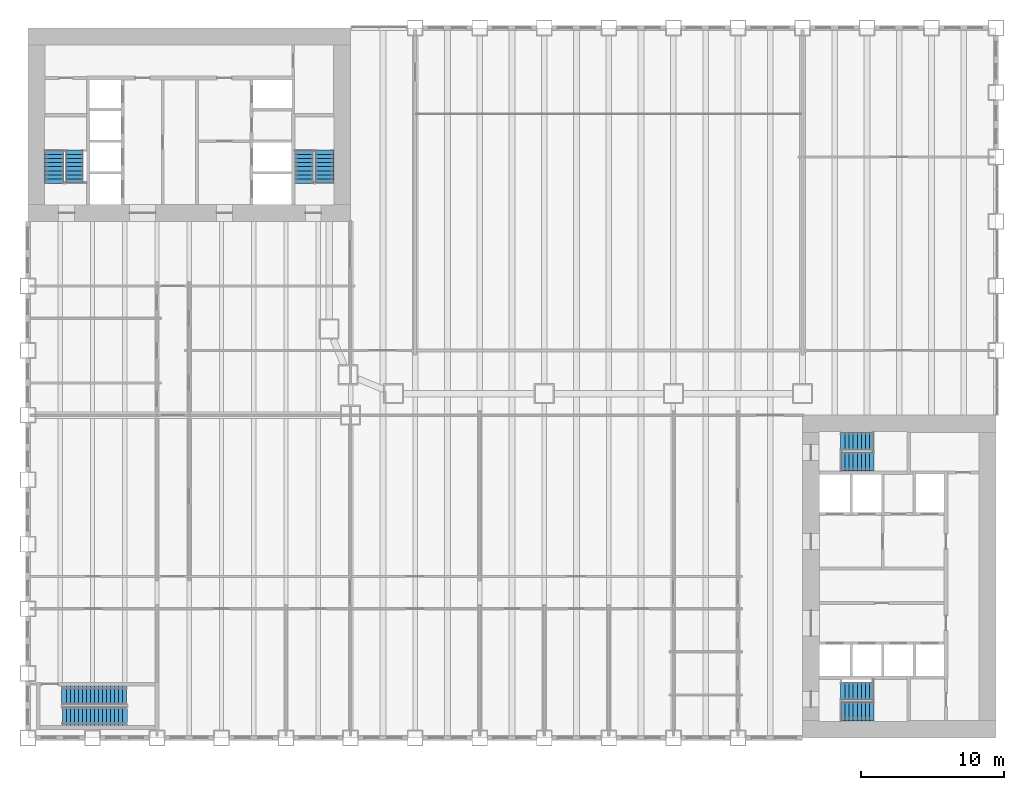
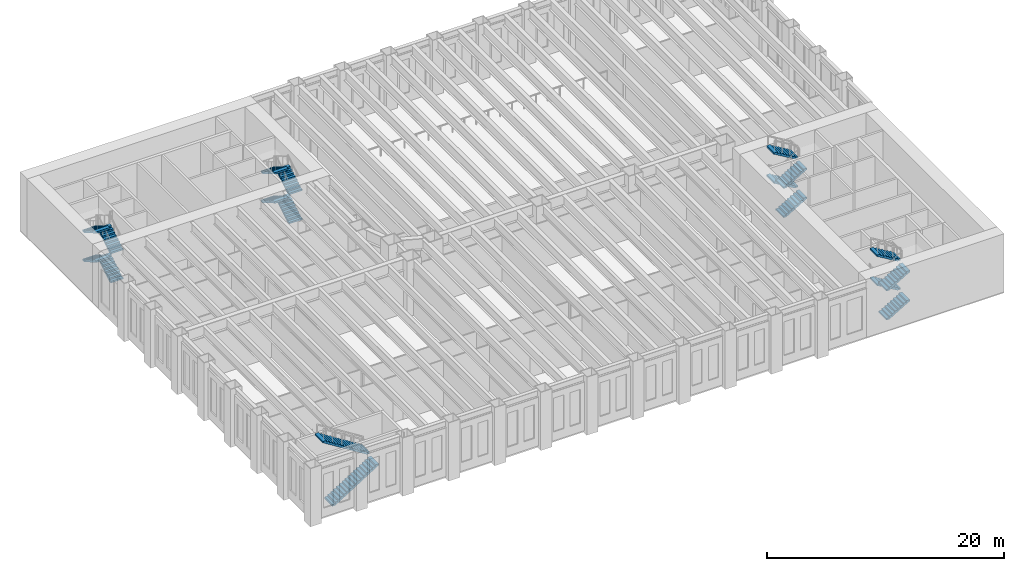
# One storey, part 15 of 19: 18 stair flights, 5 elements without a shape of their own.
"""IFC4 building model written with IfcOpenShell, lengths in metres."""

from ifc_helpers import new_model, si_unit, direction, frame, origin, place, context, subcontext, project, spatial, polyline, outline, extrude, material, type_object, element, aggregate, save


model = new_model("IFC4")

# Units and contexts
model_context = context("Model", 3, precision=1e-05, world=origin(), true_north=direction((0.0, 1.0)))
body_context = subcontext(model_context, "Body", "Model", "MODEL_VIEW")
ifc_project = project(units=[si_unit("LENGTHUNIT", "METRE"), si_unit("AREAUNIT", "SQUARE_METRE"), si_unit("VOLUMEUNIT", "CUBIC_METRE"), si_unit("PLANEANGLEUNIT", "RADIAN"), si_unit("MASSUNIT", "GRAM", prefix="KILO")], contexts=[model_context])

# Site, building, storey
site_placement = place(None, origin())
site = spatial("IfcSite", under=ifc_project, at=site_placement, CompositionType="ELEMENT")
building_placement = place(site_placement, origin())
building = spatial("IfcBuilding", under=site, at=building_placement, Name="Sennacour Bend Tower", CompositionType="ELEMENT")
storey_placement = place(building_placement, frame((0.0, 0.0, 8.0)))
storey = spatial("IfcBuildingStorey", under=building, at=storey_placement, Name="L01", CompositionType="ELEMENT", Elevation=8.0)

# Stair, stair flights
ifc_material = material(Name="Concrete C40/50", Category="concrete")
stair_type = type_object("IfcStairType", Name="ST-DOGLEG", PredefinedType="HALF_TURN_STAIR", material=ifc_material)
stair_1_placement = place(storey_placement, origin())
stair_1 = element("IfcStair", 1, at=stair_1_placement, inside=storey, type_object=stair_type, Name="L01 Exit stair A1", PredefinedType="HALF_TURN_STAIR")
stair_flight_type = type_object("IfcStairFlightType", Name="SFL-RC", PredefinedType="STRAIGHT", material=ifc_material)
stair_flight_1_placement = place(storey_placement, frame((56.699951171875, 1.8349609375, 0.0), z_axis=(0.0, 0.0, 1.0), x_axis=(1.0, 0.0, 0.0)))
stair_flight_1 = element("IfcStairFlight", 2, at=stair_flight_1_placement, type_object=stair_flight_type, Name="SA1 flight 1", NumberOfRisers=9, NumberOfTreads=8, PredefinedType="STRAIGHT", RiserHeight=0.166666667, TreadLength=0.28, context=body_context, shape_type="SweptSolid", body=[
    extrude(outline(polyline([(0.0, 0.0), (0.0, 0.166748046875), (0.280029296875, 0.166748046875), (0.280029296875, 0.333251953125), (0.56005859375, 0.333251953125), (0.56005859375, 0.5), (0.840087890625, 0.5), (0.840087890625, 0.666748046875), (1.1201171875, 0.666748046875), (1.1201171875, 0.833251953125), (1.39990234375, 0.833251953125), (1.39990234375, 1.0), (1.679931640625, 1.0), (1.679931640625, 1.166748046875), (1.9599609375, 1.166748046875), (1.9599609375, 1.333251953125), (2.239990234375, 1.333251953125), (2.300048828125, 1.333251953125), (2.300048828125, 1.158935546875), (2.239990234375, 1.158935546875), (0.29296875, 0.0), (0.0, 0.0)])), frame((0.0, 0.6650390625, 0.0), z_axis=(0.0, -1.0, 0.0), x_axis=(1.0, 0.0, 0.0)), (0.0, 0.0, 1.0), 1.330078125),
])
stair_flight_2_placement = place(storey_placement, frame((58.93994140625, 3.25, 1.5), z_axis=(0.0, 0.0, 1.0), x_axis=(-1.0, 0.0, 0.0)))
stair_flight_2 = element("IfcStairFlight", 3, at=stair_flight_2_placement, type_object=stair_flight_type, Name="SA1 flight 2", NumberOfRisers=9, NumberOfTreads=8, PredefinedType="STRAIGHT", RiserHeight=0.166666667, TreadLength=0.28, context=body_context, shape_type="SweptSolid", body=[
    extrude(outline(polyline([(0.0, 0.0), (0.0, 0.166748046875), (0.280029296875, 0.166748046875), (0.280029296875, 0.333251953125), (0.56005859375, 0.333251953125), (0.56005859375, 0.5), (0.840087890625, 0.5), (0.840087890625, 0.666748046875), (1.1201171875, 0.666748046875), (1.1201171875, 0.833251953125), (1.39990234375, 0.833251953125), (1.39990234375, 1.0), (1.679931640625, 1.0), (1.679931640625, 1.166748046875), (1.9599609375, 1.166748046875), (1.9599609375, 1.333251953125), (2.239990234375, 1.333251953125), (2.300048828125, 1.333251953125), (2.300048828125, 1.158935546875), (2.239990234375, 1.158935546875), (0.29296875, 0.0), (0.0, 0.0)])), frame((0.0, 0.60009765625, 0.0), z_axis=(0.0, -1.0, 0.0), x_axis=(1.0, 0.0, 0.0)), (0.0, 0.0, 1.0), 1.199951171875),
])
stair_flight_3_placement = place(storey_placement, frame((56.699951171875, 1.8349609375, 3.0), z_axis=(0.0, 0.0, 1.0), x_axis=(1.0, 0.0, 0.0)))
stair_flight_3 = element("IfcStairFlight", 4, at=stair_flight_3_placement, type_object=stair_flight_type, Name="SA1 flight 3", NumberOfRisers=9, NumberOfTreads=8, PredefinedType="STRAIGHT", RiserHeight=0.166666667, TreadLength=0.28, context=body_context, shape_type="SweptSolid", body=[
    extrude(outline(polyline([(0.0, 0.0), (0.0, 0.166748046875), (0.280029296875, 0.166748046875), (0.280029296875, 0.333251953125), (0.56005859375, 0.333251953125), (0.56005859375, 0.5), (0.840087890625, 0.5), (0.840087890625, 0.666748046875), (1.1201171875, 0.666748046875), (1.1201171875, 0.833251953125), (1.39990234375, 0.833251953125), (1.39990234375, 1.0), (1.679931640625, 1.0), (1.679931640625, 1.166748046875), (1.9599609375, 1.166748046875), (1.9599609375, 1.333251953125), (2.239990234375, 1.333251953125), (2.300048828125, 1.333251953125), (2.300048828125, 1.158935546875), (2.239990234375, 1.158935546875), (0.29296875, 0.0), (0.0, 0.0)])), frame((0.0, 0.6650390625, 0.0), z_axis=(0.0, -1.0, 0.0), x_axis=(1.0, 0.0, 0.0)), (0.0, 0.0, 1.0), 1.330078125),
])
stair_flight_4_placement = place(storey_placement, frame((58.93994140625, 3.25, 4.5), z_axis=(0.0, 0.0, 1.0), x_axis=(-1.0, 0.0, 0.0)))
stair_flight_4 = element("IfcStairFlight", 5, at=stair_flight_4_placement, type_object=stair_flight_type, Name="SA1 flight 4", NumberOfRisers=9, NumberOfTreads=8, PredefinedType="STRAIGHT", RiserHeight=0.166666667, TreadLength=0.28, context=body_context, shape_type="SweptSolid", body=[
    extrude(outline(polyline([(0.0, 0.0), (0.0, 0.166748046875), (0.280029296875, 0.166748046875), (0.280029296875, 0.333251953125), (0.56005859375, 0.333251953125), (0.56005859375, 0.5), (0.840087890625, 0.5), (0.840087890625, 0.666748046875), (1.1201171875, 0.666748046875), (1.1201171875, 0.833251953125), (1.39990234375, 0.833251953125), (1.39990234375, 1.0), (1.679931640625, 1.0), (1.679931640625, 1.166748046875), (1.9599609375, 1.166748046875), (1.9599609375, 1.333251953125), (2.239990234375, 1.333251953125), (2.300048828125, 1.333251953125), (2.300048828125, 1.158935546875), (2.239990234375, 1.158935546875), (0.29296875, 0.0), (0.0, 0.0)])), frame((0.0, 0.60009765625, 0.0), z_axis=(0.0, -1.0, 0.0), x_axis=(1.0, 0.0, 0.0)), (0.0, 0.0, 1.0), 1.199951171875),
])
aggregate(stair_1, [stair_flight_1, stair_flight_2, stair_flight_3, stair_flight_4])

stair_2_placement = place(storey_placement, origin())
stair_2 = element("IfcStair", 6, at=stair_2_placement, inside=storey, type_object=stair_type, Name="L01 Exit stair A2", PredefinedType="HALF_TURN_STAIR")
stair_flight_5_placement = place(storey_placement, frame((56.699951171875, 19.24755859375, 0.0), z_axis=(0.0, 0.0, 1.0), x_axis=(1.0, 0.0, 0.0)))
stair_flight_5 = element("IfcStairFlight", 7, at=stair_flight_5_placement, type_object=stair_flight_type, Name="SA2 flight 1", NumberOfRisers=9, NumberOfTreads=8, PredefinedType="STRAIGHT", RiserHeight=0.166666667, TreadLength=0.28, context=body_context, shape_type="SweptSolid", body=[
    extrude(outline(polyline([(0.0, 0.0), (0.0, 0.166748046875), (0.280029296875, 0.166748046875), (0.280029296875, 0.333251953125), (0.56005859375, 0.333251953125), (0.56005859375, 0.5), (0.840087890625, 0.5), (0.840087890625, 0.666748046875), (1.1201171875, 0.666748046875), (1.1201171875, 0.833251953125), (1.39990234375, 0.833251953125), (1.39990234375, 1.0), (1.679931640625, 1.0), (1.679931640625, 1.166748046875), (1.9599609375, 1.166748046875), (1.9599609375, 1.333251953125), (2.239990234375, 1.333251953125), (2.300048828125, 1.333251953125), (2.300048828125, 1.158935546875), (2.239990234375, 1.158935546875), (0.29296875, 0.0), (0.0, 0.0)])), frame((0.0, 0.65234375, 0.0), z_axis=(0.0, -1.0, 0.0), x_axis=(1.0, 0.0, 0.0)), (0.0, 0.0, 1.0), 1.304931640625),
])
stair_flight_6_placement = place(storey_placement, frame((58.93994140625, 20.68994140625, 1.5), z_axis=(0.0, 0.0, 1.0), x_axis=(-1.0, 0.0, 0.0)))
stair_flight_6 = element("IfcStairFlight", 8, at=stair_flight_6_placement, type_object=stair_flight_type, Name="SA2 flight 2", NumberOfRisers=9, NumberOfTreads=8, PredefinedType="STRAIGHT", RiserHeight=0.166666667, TreadLength=0.28, context=body_context, shape_type="SweptSolid", body=[
    extrude(outline(polyline([(0.0, 0.0), (0.0, 0.166748046875), (0.280029296875, 0.166748046875), (0.280029296875, 0.333251953125), (0.56005859375, 0.333251953125), (0.56005859375, 0.5), (0.840087890625, 0.5), (0.840087890625, 0.666748046875), (1.1201171875, 0.666748046875), (1.1201171875, 0.833251953125), (1.39990234375, 0.833251953125), (1.39990234375, 1.0), (1.679931640625, 1.0), (1.679931640625, 1.166748046875), (1.9599609375, 1.166748046875), (1.9599609375, 1.333251953125), (2.239990234375, 1.333251953125), (2.300048828125, 1.333251953125), (2.300048828125, 1.158935546875), (2.239990234375, 1.158935546875), (0.29296875, 0.0), (0.0, 0.0)])), frame((0.0, 0.64013671875, 0.0), z_axis=(0.0, -1.0, 0.0), x_axis=(1.0, 0.0, 0.0)), (0.0, 0.0, 1.0), 1.280029296875),
])
stair_flight_7_placement = place(storey_placement, frame((56.699951171875, 19.24755859375, 3.0), z_axis=(0.0, 0.0, 1.0), x_axis=(1.0, 0.0, 0.0)))
stair_flight_7 = element("IfcStairFlight", 9, at=stair_flight_7_placement, type_object=stair_flight_type, Name="SA2 flight 3", NumberOfRisers=9, NumberOfTreads=8, PredefinedType="STRAIGHT", RiserHeight=0.166666667, TreadLength=0.28, context=body_context, shape_type="SweptSolid", body=[
    extrude(outline(polyline([(0.0, 0.0), (0.0, 0.166748046875), (0.280029296875, 0.166748046875), (0.280029296875, 0.333251953125), (0.56005859375, 0.333251953125), (0.56005859375, 0.5), (0.840087890625, 0.5), (0.840087890625, 0.666748046875), (1.1201171875, 0.666748046875), (1.1201171875, 0.833251953125), (1.39990234375, 0.833251953125), (1.39990234375, 1.0), (1.679931640625, 1.0), (1.679931640625, 1.166748046875), (1.9599609375, 1.166748046875), (1.9599609375, 1.333251953125), (2.239990234375, 1.333251953125), (2.300048828125, 1.333251953125), (2.300048828125, 1.158935546875), (2.239990234375, 1.158935546875), (0.29296875, 0.0), (0.0, 0.0)])), frame((0.0, 0.65234375, 0.0), z_axis=(0.0, -1.0, 0.0), x_axis=(1.0, 0.0, 0.0)), (0.0, 0.0, 1.0), 1.304931640625),
])
stair_flight_8_placement = place(storey_placement, frame((58.93994140625, 20.68994140625, 4.5), z_axis=(0.0, 0.0, 1.0), x_axis=(-1.0, 0.0, 0.0)))
stair_flight_8 = element("IfcStairFlight", 10, at=stair_flight_8_placement, type_object=stair_flight_type, Name="SA2 flight 4", NumberOfRisers=9, NumberOfTreads=8, PredefinedType="STRAIGHT", RiserHeight=0.166666667, TreadLength=0.28, context=body_context, shape_type="SweptSolid", body=[
    extrude(outline(polyline([(0.0, 0.0), (0.0, 0.166748046875), (0.280029296875, 0.166748046875), (0.280029296875, 0.333251953125), (0.56005859375, 0.333251953125), (0.56005859375, 0.5), (0.840087890625, 0.5), (0.840087890625, 0.666748046875), (1.1201171875, 0.666748046875), (1.1201171875, 0.833251953125), (1.39990234375, 0.833251953125), (1.39990234375, 1.0), (1.679931640625, 1.0), (1.679931640625, 1.166748046875), (1.9599609375, 1.166748046875), (1.9599609375, 1.333251953125), (2.239990234375, 1.333251953125), (2.300048828125, 1.333251953125), (2.300048828125, 1.158935546875), (2.239990234375, 1.158935546875), (0.29296875, 0.0), (0.0, 0.0)])), frame((0.0, 0.64013671875, 0.0), z_axis=(0.0, -1.0, 0.0), x_axis=(1.0, 0.0, 0.0)), (0.0, 0.0, 1.0), 1.280029296875),
])
aggregate(stair_2, [stair_flight_5, stair_flight_6, stair_flight_7, stair_flight_8])

stair_3_placement = place(storey_placement, origin())
stair_3 = element("IfcStair", 11, at=stair_3_placement, inside=storey, type_object=stair_type, Name="L01 Exit stair B1", PredefinedType="HALF_TURN_STAIR")
stair_flight_9_placement = place(storey_placement, frame((3.25, 38.699951171875, 0.0), z_axis=(0.0, 0.0, 1.0), x_axis=(0.0, 1.0, 0.0)))
stair_flight_9 = element("IfcStairFlight", 12, at=stair_flight_9_placement, type_object=stair_flight_type, Name="SB1 flight 1", NumberOfRisers=9, NumberOfTreads=8, PredefinedType="STRAIGHT", RiserHeight=0.166666667, TreadLength=0.28, context=body_context, shape_type="SweptSolid", body=[
    extrude(outline(polyline([(0.0, 0.0), (0.0, 0.166748046875), (0.280029296875, 0.166748046875), (0.280029296875, 0.333251953125), (0.56005859375, 0.333251953125), (0.56005859375, 0.5), (0.840087890625, 0.5), (0.840087890625, 0.666748046875), (1.1201171875, 0.666748046875), (1.1201171875, 0.833251953125), (1.39990234375, 0.833251953125), (1.39990234375, 1.0), (1.679931640625, 1.0), (1.679931640625, 1.166748046875), (1.9599609375, 1.166748046875), (1.9599609375, 1.333251953125), (2.239990234375, 1.333251953125), (2.300048828125, 1.333251953125), (2.300048828125, 1.158935546875), (2.239990234375, 1.158935546875), (0.29296875, 0.0), (0.0, 0.0)])), frame((0.0, 0.60009765625, 0.0), z_axis=(0.0, -1.0, 0.0), x_axis=(1.0, 0.0, 0.0)), (0.0, 0.0, 1.0), 1.199951171875),
])
stair_flight_10_placement = place(storey_placement, frame((1.8349609375, 40.93994140625, 1.5), z_axis=(0.0, 0.0, 1.0), x_axis=(0.0, -1.0, 0.0)))
stair_flight_10 = element("IfcStairFlight", 13, at=stair_flight_10_placement, type_object=stair_flight_type, Name="SB1 flight 2", NumberOfRisers=9, NumberOfTreads=8, PredefinedType="STRAIGHT", RiserHeight=0.166666667, TreadLength=0.28, context=body_context, shape_type="SweptSolid", body=[
    extrude(outline(polyline([(0.0, 0.0), (0.0, 0.166748046875), (0.280029296875, 0.166748046875), (0.280029296875, 0.333251953125), (0.56005859375, 0.333251953125), (0.56005859375, 0.5), (0.840087890625, 0.5), (0.840087890625, 0.666748046875), (1.1201171875, 0.666748046875), (1.1201171875, 0.833251953125), (1.39990234375, 0.833251953125), (1.39990234375, 1.0), (1.679931640625, 1.0), (1.679931640625, 1.166748046875), (1.9599609375, 1.166748046875), (1.9599609375, 1.333251953125), (2.239990234375, 1.333251953125), (2.300048828125, 1.333251953125), (2.300048828125, 1.158935546875), (2.239990234375, 1.158935546875), (0.29296875, 0.0), (0.0, 0.0)])), frame((0.0, 0.6650390625, 0.0), z_axis=(0.0, -1.0, 0.0), x_axis=(1.0, 0.0, 0.0)), (0.0, 0.0, 1.0), 1.330078125),
])
stair_flight_11_placement = place(storey_placement, frame((3.25, 38.699951171875, 3.0), z_axis=(0.0, 0.0, 1.0), x_axis=(0.0, 1.0, 0.0)))
stair_flight_11 = element("IfcStairFlight", 14, at=stair_flight_11_placement, type_object=stair_flight_type, Name="SB1 flight 3", NumberOfRisers=9, NumberOfTreads=8, PredefinedType="STRAIGHT", RiserHeight=0.166666667, TreadLength=0.28, context=body_context, shape_type="SweptSolid", body=[
    extrude(outline(polyline([(0.0, 0.0), (0.0, 0.166748046875), (0.280029296875, 0.166748046875), (0.280029296875, 0.333251953125), (0.56005859375, 0.333251953125), (0.56005859375, 0.5), (0.840087890625, 0.5), (0.840087890625, 0.666748046875), (1.1201171875, 0.666748046875), (1.1201171875, 0.833251953125), (1.39990234375, 0.833251953125), (1.39990234375, 1.0), (1.679931640625, 1.0), (1.679931640625, 1.166748046875), (1.9599609375, 1.166748046875), (1.9599609375, 1.333251953125), (2.239990234375, 1.333251953125), (2.300048828125, 1.333251953125), (2.300048828125, 1.158935546875), (2.239990234375, 1.158935546875), (0.29296875, 0.0), (0.0, 0.0)])), frame((0.0, 0.60009765625, 0.0), z_axis=(0.0, -1.0, 0.0), x_axis=(1.0, 0.0, 0.0)), (0.0, 0.0, 1.0), 1.199951171875),
])
stair_flight_12_placement = place(storey_placement, frame((1.8349609375, 40.93994140625, 4.5), z_axis=(0.0, 0.0, 1.0), x_axis=(0.0, -1.0, 0.0)))
stair_flight_12 = element("IfcStairFlight", 15, at=stair_flight_12_placement, type_object=stair_flight_type, Name="SB1 flight 4", NumberOfRisers=9, NumberOfTreads=8, PredefinedType="STRAIGHT", RiserHeight=0.166666667, TreadLength=0.28, context=body_context, shape_type="SweptSolid", body=[
    extrude(outline(polyline([(0.0, 0.0), (0.0, 0.166748046875), (0.280029296875, 0.166748046875), (0.280029296875, 0.333251953125), (0.56005859375, 0.333251953125), (0.56005859375, 0.5), (0.840087890625, 0.5), (0.840087890625, 0.666748046875), (1.1201171875, 0.666748046875), (1.1201171875, 0.833251953125), (1.39990234375, 0.833251953125), (1.39990234375, 1.0), (1.679931640625, 1.0), (1.679931640625, 1.166748046875), (1.9599609375, 1.166748046875), (1.9599609375, 1.333251953125), (2.239990234375, 1.333251953125), (2.300048828125, 1.333251953125), (2.300048828125, 1.158935546875), (2.239990234375, 1.158935546875), (0.29296875, 0.0), (0.0, 0.0)])), frame((0.0, 0.6650390625, 0.0), z_axis=(0.0, -1.0, 0.0), x_axis=(1.0, 0.0, 0.0)), (0.0, 0.0, 1.0), 1.330078125),
])
aggregate(stair_3, [stair_flight_9, stair_flight_10, stair_flight_11, stair_flight_12])

stair_4_placement = place(storey_placement, origin())
stair_4 = element("IfcStair", 16, at=stair_4_placement, inside=storey, type_object=stair_type, Name="L01 Exit stair B2", PredefinedType="HALF_TURN_STAIR")
stair_flight_13_placement = place(storey_placement, frame((20.68994140625, 38.699951171875, 0.0), z_axis=(0.0, 0.0, 1.0), x_axis=(0.0, 1.0, 0.0)))
stair_flight_13 = element("IfcStairFlight", 17, at=stair_flight_13_placement, type_object=stair_flight_type, Name="SB2 flight 1", NumberOfRisers=9, NumberOfTreads=8, PredefinedType="STRAIGHT", RiserHeight=0.166666667, TreadLength=0.28, context=body_context, shape_type="SweptSolid", body=[
    extrude(outline(polyline([(0.0, 0.0), (0.0, 0.166748046875), (0.280029296875, 0.166748046875), (0.280029296875, 0.333251953125), (0.56005859375, 0.333251953125), (0.56005859375, 0.5), (0.840087890625, 0.5), (0.840087890625, 0.666748046875), (1.1201171875, 0.666748046875), (1.1201171875, 0.833251953125), (1.39990234375, 0.833251953125), (1.39990234375, 1.0), (1.679931640625, 1.0), (1.679931640625, 1.166748046875), (1.9599609375, 1.166748046875), (1.9599609375, 1.333251953125), (2.239990234375, 1.333251953125), (2.300048828125, 1.333251953125), (2.300048828125, 1.158935546875), (2.239990234375, 1.158935546875), (0.29296875, 0.0), (0.0, 0.0)])), frame((0.0, 0.64013671875, 0.0), z_axis=(0.0, -1.0, 0.0), x_axis=(1.0, 0.0, 0.0)), (0.0, 0.0, 1.0), 1.280029296875),
])
stair_flight_14_placement = place(storey_placement, frame((19.24755859375, 40.93994140625, 1.5), z_axis=(0.0, 0.0, 1.0), x_axis=(0.0, -1.0, 0.0)))
stair_flight_14 = element("IfcStairFlight", 18, at=stair_flight_14_placement, type_object=stair_flight_type, Name="SB2 flight 2", NumberOfRisers=9, NumberOfTreads=8, PredefinedType="STRAIGHT", RiserHeight=0.166666667, TreadLength=0.28, context=body_context, shape_type="SweptSolid", body=[
    extrude(outline(polyline([(0.0, 0.0), (0.0, 0.166748046875), (0.280029296875, 0.166748046875), (0.280029296875, 0.333251953125), (0.56005859375, 0.333251953125), (0.56005859375, 0.5), (0.840087890625, 0.5), (0.840087890625, 0.666748046875), (1.1201171875, 0.666748046875), (1.1201171875, 0.833251953125), (1.39990234375, 0.833251953125), (1.39990234375, 1.0), (1.679931640625, 1.0), (1.679931640625, 1.166748046875), (1.9599609375, 1.166748046875), (1.9599609375, 1.333251953125), (2.239990234375, 1.333251953125), (2.300048828125, 1.333251953125), (2.300048828125, 1.158935546875), (2.239990234375, 1.158935546875), (0.29296875, 0.0), (0.0, 0.0)])), frame((0.0, 0.65234375, 0.0), z_axis=(0.0, -1.0, 0.0), x_axis=(1.0, 0.0, 0.0)), (0.0, 0.0, 1.0), 1.304931640625),
])
stair_flight_15_placement = place(storey_placement, frame((20.68994140625, 38.699951171875, 3.0), z_axis=(0.0, 0.0, 1.0), x_axis=(0.0, 1.0, 0.0)))
stair_flight_15 = element("IfcStairFlight", 19, at=stair_flight_15_placement, type_object=stair_flight_type, Name="SB2 flight 3", NumberOfRisers=9, NumberOfTreads=8, PredefinedType="STRAIGHT", RiserHeight=0.166666667, TreadLength=0.28, context=body_context, shape_type="SweptSolid", body=[
    extrude(outline(polyline([(0.0, 0.0), (0.0, 0.166748046875), (0.280029296875, 0.166748046875), (0.280029296875, 0.333251953125), (0.56005859375, 0.333251953125), (0.56005859375, 0.5), (0.840087890625, 0.5), (0.840087890625, 0.666748046875), (1.1201171875, 0.666748046875), (1.1201171875, 0.833251953125), (1.39990234375, 0.833251953125), (1.39990234375, 1.0), (1.679931640625, 1.0), (1.679931640625, 1.166748046875), (1.9599609375, 1.166748046875), (1.9599609375, 1.333251953125), (2.239990234375, 1.333251953125), (2.300048828125, 1.333251953125), (2.300048828125, 1.158935546875), (2.239990234375, 1.158935546875), (0.29296875, 0.0), (0.0, 0.0)])), frame((0.0, 0.64013671875, 0.0), z_axis=(0.0, -1.0, 0.0), x_axis=(1.0, 0.0, 0.0)), (0.0, 0.0, 1.0), 1.280029296875),
])
stair_flight_16_placement = place(storey_placement, frame((19.24755859375, 40.93994140625, 4.5), z_axis=(0.0, 0.0, 1.0), x_axis=(0.0, -1.0, 0.0)))
stair_flight_16 = element("IfcStairFlight", 20, at=stair_flight_16_placement, type_object=stair_flight_type, Name="SB2 flight 4", NumberOfRisers=9, NumberOfTreads=8, PredefinedType="STRAIGHT", RiserHeight=0.166666667, TreadLength=0.28, context=body_context, shape_type="SweptSolid", body=[
    extrude(outline(polyline([(0.0, 0.0), (0.0, 0.166748046875), (0.280029296875, 0.166748046875), (0.280029296875, 0.333251953125), (0.56005859375, 0.333251953125), (0.56005859375, 0.5), (0.840087890625, 0.5), (0.840087890625, 0.666748046875), (1.1201171875, 0.666748046875), (1.1201171875, 0.833251953125), (1.39990234375, 0.833251953125), (1.39990234375, 1.0), (1.679931640625, 1.0), (1.679931640625, 1.166748046875), (1.9599609375, 1.166748046875), (1.9599609375, 1.333251953125), (2.239990234375, 1.333251953125), (2.300048828125, 1.333251953125), (2.300048828125, 1.158935546875), (2.239990234375, 1.158935546875), (0.29296875, 0.0), (0.0, 0.0)])), frame((0.0, 0.65234375, 0.0), z_axis=(0.0, -1.0, 0.0), x_axis=(1.0, 0.0, 0.0)), (0.0, 0.0, 1.0), 1.304931640625),
])
aggregate(stair_4, [stair_flight_13, stair_flight_14, stair_flight_15, stair_flight_16])

stair_5_placement = place(storey_placement, origin())
stair_5 = element("IfcStair", 21, at=stair_5_placement, inside=storey, type_object=stair_type, Name="L01 Exit stair K1", PredefinedType="HALF_TURN_STAIR")
stair_flight_17_placement = place(storey_placement, frame((2.39990234375, 1.485107421875, 0.0), z_axis=(0.0, 0.0, 1.0), x_axis=(1.0, 0.0, 0.0)))
stair_flight_17 = element("IfcStairFlight", 22, at=stair_flight_17_placement, type_object=stair_flight_type, Name="SK1 flight 1", NumberOfRisers=17, NumberOfTreads=16, PredefinedType="STRAIGHT", RiserHeight=0.176470588, TreadLength=0.28, context=body_context, shape_type="SweptSolid", body=[
    extrude(outline(polyline([(0.0, 0.0), (0.0, 0.176513671875), (0.280029296875, 0.176513671875), (0.280029296875, 0.35302734375), (0.56005859375, 0.35302734375), (0.56005859375, 0.529296875), (0.840087890625, 0.529296875), (0.840087890625, 0.705810546875), (1.1201171875, 0.705810546875), (1.1201171875, 0.88232421875), (1.39990234375, 0.88232421875), (1.39990234375, 1.058837890625), (1.679931640625, 1.058837890625), (1.679931640625, 1.2353515625), (1.9599609375, 1.2353515625), (1.9599609375, 1.411865234375), (2.239990234375, 1.411865234375), (2.239990234375, 1.588134765625), (2.52001953125, 1.588134765625), (2.52001953125, 1.7646484375), (2.800048828125, 1.7646484375), (2.800048828125, 1.941162109375), (3.080078125, 1.941162109375), (3.080078125, 2.11767578125), (3.360107421875, 2.11767578125), (3.360107421875, 2.294189453125), (3.639892578125, 2.294189453125), (3.639892578125, 2.470703125), (3.919921875, 2.470703125), (3.919921875, 2.64697265625), (4.199951171875, 2.64697265625), (4.199951171875, 2.823486328125), (4.47998046875, 2.823486328125), (4.5400390625, 2.823486328125), (4.5400390625, 2.646240234375), (4.47998046875, 2.646240234375), (0.28125, 0.0), (0.0, 0.0)])), frame((0.0, 0.6650390625, 0.0), z_axis=(0.0, -1.0, 0.0), x_axis=(1.0, 0.0, 0.0)), (0.0, 0.0, 1.0), 1.330078125),
])
stair_flight_18_placement = place(storey_placement, frame((6.8798828125, 2.9775390625, 3.0), z_axis=(0.0, 0.0, 1.0), x_axis=(-1.0, 0.0, 0.0)))
stair_flight_18 = element("IfcStairFlight", 23, at=stair_flight_18_placement, type_object=stair_flight_type, Name="SK1 flight 2", NumberOfRisers=17, NumberOfTreads=16, PredefinedType="STRAIGHT", RiserHeight=0.176470588, TreadLength=0.28, context=body_context, shape_type="SweptSolid", body=[
    extrude(outline(polyline([(0.0, 0.0), (0.0, 0.176513671875), (0.280029296875, 0.176513671875), (0.280029296875, 0.35302734375), (0.56005859375, 0.35302734375), (0.56005859375, 0.529296875), (0.840087890625, 0.529296875), (0.840087890625, 0.705810546875), (1.1201171875, 0.705810546875), (1.1201171875, 0.88232421875), (1.39990234375, 0.88232421875), (1.39990234375, 1.058837890625), (1.679931640625, 1.058837890625), (1.679931640625, 1.2353515625), (1.9599609375, 1.2353515625), (1.9599609375, 1.411865234375), (2.239990234375, 1.411865234375), (2.239990234375, 1.588134765625), (2.52001953125, 1.588134765625), (2.52001953125, 1.7646484375), (2.800048828125, 1.7646484375), (2.800048828125, 1.941162109375), (3.080078125, 1.941162109375), (3.080078125, 2.11767578125), (3.360107421875, 2.11767578125), (3.360107421875, 2.294189453125), (3.639892578125, 2.294189453125), (3.639892578125, 2.470703125), (3.919921875, 2.470703125), (3.919921875, 2.64697265625), (4.199951171875, 2.64697265625), (4.199951171875, 2.823486328125), (4.47998046875, 2.823486328125), (4.5400390625, 2.823486328125), (4.5400390625, 2.646240234375), (4.47998046875, 2.646240234375), (0.28125, 0.0), (0.0, 0.0)])), frame((0.0, 0.677490234375, 0.0), z_axis=(0.0, -1.0, 0.0), x_axis=(1.0, 0.0, 0.0)), (0.0, 0.0, 1.0), 1.35498046875),
])
aggregate(stair_5, [stair_flight_17, stair_flight_18])

save(model, "model.ifc")
